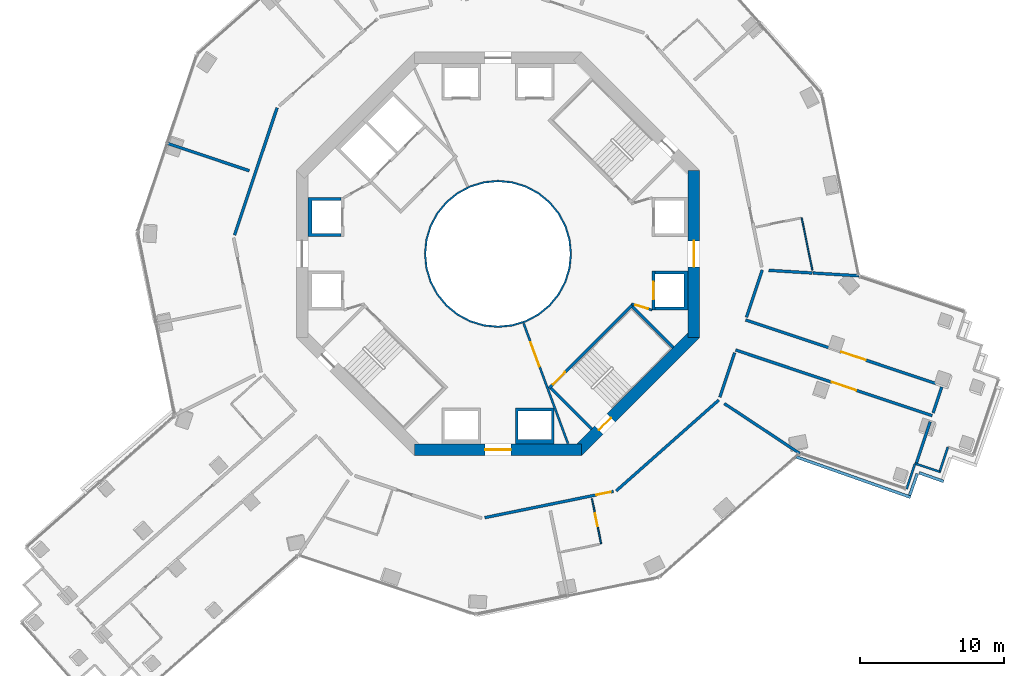
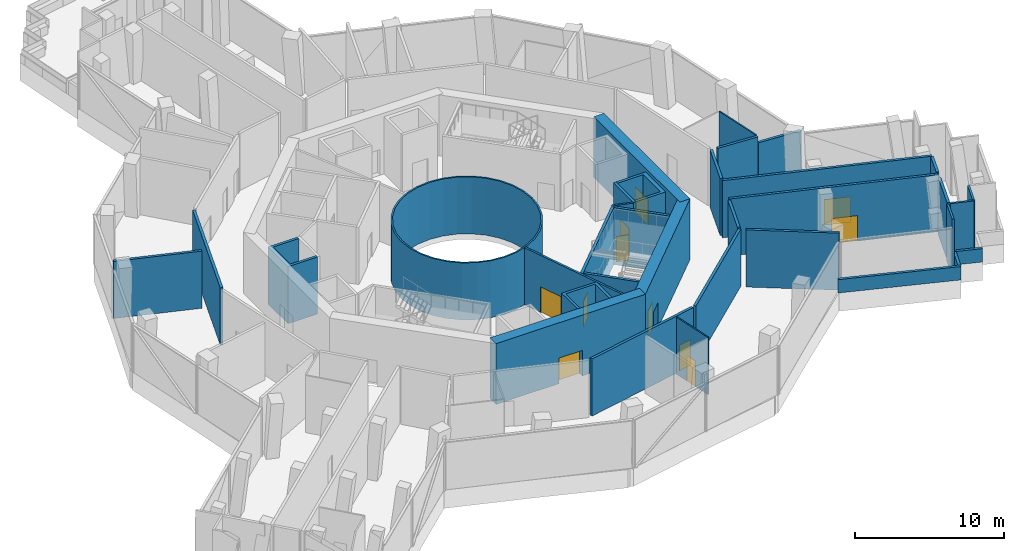
# One storey, part 11 of 20: 34 walls, 11 doors, 11 openings.
"""IFC4 building model written with IfcOpenShell, lengths in metres."""

from ifc_helpers import new_model, si_unit, direction, frame, frame_2d, origin, place, context, subcontext, project, spatial, polyline, rectangle, outline, extrude, material, layer, layer_set, type_object, element, fill, save


model = new_model("IFC4")

# Units and contexts
model_context = context("Model", 3, precision=1e-05, world=origin(), true_north=direction((0.0, 1.0)))
body_context = subcontext(model_context, "Body", "Model", "MODEL_VIEW")
ifc_project = project(units=[si_unit("LENGTHUNIT", "METRE"), si_unit("AREAUNIT", "SQUARE_METRE"), si_unit("VOLUMEUNIT", "CUBIC_METRE"), si_unit("PLANEANGLEUNIT", "RADIAN"), si_unit("MASSUNIT", "GRAM", prefix="KILO")], contexts=[model_context])

# Site, building, storey
site_placement = place(None, origin())
site = spatial("IfcSite", under=ifc_project, at=site_placement, CompositionType="ELEMENT")
building_placement = place(site_placement, origin())
building = spatial("IfcBuilding", under=site, at=building_placement, Name="Verdalira Terraces Hotel", CompositionType="ELEMENT")
storey_placement = place(building_placement, frame((0.0, 0.0, 81.0)))
storey = spatial("IfcBuildingStorey", under=building, at=storey_placement, Name="L18", CompositionType="ELEMENT", Elevation=81.0)

# Wall
ifc_material_1 = material(Name="Fire-resisting glass EI 180", Category="glass")
ifc_layer_1 = layer(ifc_material_1, 0.1201171875)
ifc_layer_set_1 = layer_set([ifc_layer_1], Name="Atrium fire screen 120 mm")
wall_type_1 = type_object("IfcWallType", Name="Atrium fire screen 120 mm", PredefinedType="SOLIDWALL", material=ifc_layer_set_1)
wall_1_placement = place(storey_placement, origin())
element("IfcWall", 1, at=wall_1_placement, inside=storey, type_object=wall_type_1, Name="Atrium fire screen", PredefinedType="SOLIDWALL", context=body_context, shape_type="SweptSolid", body=[
    extrude(outline(polyline([(5.021484, -0.998779), (4.730225, -1.959229), (4.25708, -2.844482), (3.620361, -3.620361), (2.844482, -4.25708), (1.959229, -4.730225), (0.998779, -5.021484), (0.0, -5.120117), (-0.998779, -5.021484), (-1.959229, -4.730225), (-2.844482, -4.25708), (-3.620361, -3.620361), (-4.25708, -2.844482), (-4.730225, -1.959229), (-5.021484, -0.998779), (-5.120117, 0.0), (-5.021484, 0.998779), (-4.730225, 1.959229), (-4.25708, 2.844482), (-3.620361, 3.620361), (-2.844482, 4.25708), (-1.959229, 4.730225), (-0.998779, 5.021484), (0.0, 5.120117), (0.998779, 5.021484), (1.959229, 4.730225), (2.844482, 4.25708), (3.620361, 3.620361), (4.25708, 2.844482), (4.730225, 1.959229), (5.021484, 0.998779), (5.120117, 0.0), (5.021484, -0.998779)]), holes=[polyline([(4.903809, 0.975586), (4.619385, 1.91333), (4.157227, 2.777832), (3.5354, 3.5354), (2.777832, 4.157227), (1.91333, 4.619385), (0.975586, 4.903809), (0.0, 5.0), (-0.975586, 4.903809), (-1.91333, 4.619385), (-2.777832, 4.157227), (-3.5354, 3.5354), (-4.157227, 2.777832), (-4.619385, 1.91333), (-4.903809, 0.975586), (-5.0, 0.0), (-4.903809, -0.975586), (-4.619385, -1.91333), (-4.157227, -2.777832), (-3.5354, -3.5354), (-2.777832, -4.157227), (-1.91333, -4.619385), (-0.975586, -4.903809), (0.0, -5.0), (0.975586, -4.903809), (1.91333, -4.619385), (2.777832, -4.157227), (3.5354, -3.5354), (4.157227, -2.777832), (4.619385, -1.91333), (4.903809, -0.975586), (5.0, 0.0), (4.903809, 0.975586)])]), origin(), (0.0, 0.0, 1.0), 4.689941),
])

# Wall, opening, door
ifc_material_2 = material(Name="Moisture-resistant gypsum board partition")
ifc_layer_2 = layer(ifc_material_2, 0.10009765625)
ifc_layer_set_2 = layer_set([ifc_layer_2], Name="Bathroom partition 100 mm")
wall_type_2 = type_object("IfcWallType", Name="Bathroom partition 100 mm", PredefinedType="PARTITIONING", material=ifc_layer_set_2)
wall_2_placement = place(storey_placement, frame((7.165039, -20.133057, 0.0), z_axis=(0.0, 0.0, 1.0), x_axis=(-0.19972385, 0.979852226, 0.0)))
wall_2 = element("IfcWall", 2, at=wall_2_placement, inside=storey, type_object=wall_type_2, Name="Bathroom partition", PredefinedType="PARTITIONING", context=body_context, shape_type="SweptSolid", body=[
    extrude(rectangle(XDim=3.200195, YDim=0.100098, at=frame_2d((1.600098, 0.0))), origin(), (0.0, 0.0, 1.0), 4.689941),
])
opening_1_placement = place(wall_2_placement, frame((1.25, 0.0, 0.0)))
opening_1 = element("IfcOpeningElement", 3, at=opening_1_placement, cuts=wall_2, Name="Opening L18-114", PredefinedType="OPENING", context=body_context, shape_type="SweptSolid", body=[
    extrude(rectangle(XDim=0.899902, YDim=2.100098, at=frame_2d((0.449951, 1.050049))), frame((0.0, 0.060059, 0.0), z_axis=(0.0, -1.0, 0.0), x_axis=(1.0, 0.0, 0.0)), (0.0, 0.0, 1.0), 0.120117),
])
ifc_material_3 = material(Name="Timber door", Category="wood")
door_type_1 = type_object("IfcDoorType", Name="Bathroom door 900 x 2100", OperationType="NOTDEFINED", PredefinedType="DOOR", material=ifc_material_3)
door_1_placement = place(opening_1_placement, origin())
door_1 = element("IfcDoor", 4, at=door_1_placement, inside=storey, type_object=door_type_1, Name="Bathroom door 1810", OperationType="SINGLE_SWING_LEFT", OverallHeight=2.10009765625, OverallWidth=0.89990234375, PredefinedType="DOOR", context=body_context, shape_type="SweptSolid", body=[
    extrude(rectangle(XDim=0.899902, YDim=2.100098, at=frame_2d((0.449951, 1.050049))), frame((0.0, 0.024902, 0.0), z_axis=(0.0, -1.0, 0.0), x_axis=(1.0, 0.0, 0.0)), (0.0, 0.0, 1.0), 0.050049),
])
fill(opening_1, door_1)

# Walls
wall_3_placement = place(storey_placement, frame((21.083252, 2.502686, 0.0), z_axis=(0.0, 0.0, 1.0), x_axis=(0.199714646, -0.979854101, 0.0)))
element("IfcWall", 5, at=wall_3_placement, inside=storey, type_object=wall_type_2, Name="Bathroom partition", PredefinedType="PARTITIONING", context=body_context, shape_type="SweptSolid", body=[
    extrude(rectangle(XDim=3.704102, YDim=0.100098, at=frame_2d((1.852051, 0.0))), origin(), (0.0, 0.0, 1.0), 4.689941),
])
ifc_material_4 = material(Name="Concrete C50", Category="concrete")
ifc_layer_3 = layer(ifc_material_4, 0.199951171875)
ifc_layer_set_3 = layer_set([ifc_layer_3], Name="Core RC wall 200 C50")
wall_type_3 = type_object("IfcWallType", Name="Core RC wall 200 C50", PredefinedType="SOLIDWALL", material=ifc_layer_set_3)
wall_4_placement = place(storey_placement, origin())
element("IfcWall", 6, at=wall_4_placement, inside=storey, type_object=wall_type_3, Name="L18 shaft wall E1", PredefinedType="SOLIDWALL", context=body_context, shape_type="SweptSolid", body=[
    extrude(outline(polyline([(13.199951, -3.899902), (10.899902, -3.899902), (10.899902, -3.699951), (12.899902, -3.699951), (12.899902, -1.399902), (10.899902, -1.399902), (10.899902, -1.199951), (13.199951, -1.199951), (13.199951, -3.899902)])), origin(), (0.0, 0.0, 1.0), 4.689941),
])

# Wall, opening, door
wall_5_placement = place(storey_placement, frame((10.800049, -1.199951, 0.0), z_axis=(0.0, 0.0, 1.0), x_axis=(0.0, -1.0, 0.0)))
wall_5 = element("IfcWall", 7, at=wall_5_placement, inside=storey, type_object=wall_type_3, Name="L18 shaft front wall E1", PredefinedType="SOLIDWALL", context=body_context, shape_type="SweptSolid", body=[
    extrude(rectangle(XDim=2.699951, YDim=0.199951, at=frame_2d((1.350098, 0.0))), origin(), (0.0, 0.0, 1.0), 4.689941),
])
opening_2_placement = place(wall_5_placement, frame((0.75, 0.0, 0.0)))
opening_2 = element("IfcOpeningElement", 8, at=opening_2_placement, cuts=wall_5, Name="Opening LD-L18-801", PredefinedType="OPENING", context=body_context, shape_type="SweptSolid", body=[
    extrude(rectangle(XDim=1.199951, YDim=2.100098, at=frame_2d((0.600098, 1.050049))), frame((0.0, 0.109863, 0.0), z_axis=(0.0, -1.0, 0.0), x_axis=(1.0, 0.0, 0.0)), (0.0, 0.0, 1.0), 0.219971),
])
ifc_material_5 = material(Name="Stainless steel", Category="steel")
door_type_2 = type_object("IfcDoorType", Name="Landing door 1200 x 2100", OperationType="NOTDEFINED", PredefinedType="DOOR", material=ifc_material_5)
door_2_placement = place(opening_2_placement, origin())
door_2 = element("IfcDoor", 9, at=door_2_placement, inside=storey, type_object=door_type_2, Name="Lift landing door LR1 L18", OperationType="DOUBLE_DOOR_SLIDING", OverallHeight=2.10009765625, OverallWidth=1.199951171875, PredefinedType="DOOR", context=body_context, shape_type="SweptSolid", body=[
    extrude(rectangle(XDim=1.199951, YDim=2.100098, at=frame_2d((0.600098, 1.050049))), frame((0.0, 0.024902, 0.0), z_axis=(0.0, -1.0, 0.0), x_axis=(1.0, 0.0, 0.0)), (0.0, 0.0, 1.0), 0.050049),
])
fill(opening_2, door_2)

# Walls
wall_6_placement = place(storey_placement, origin())
element("IfcWall", 10, at=wall_6_placement, inside=storey, type_object=wall_type_3, Name="L18 shaft wall W1", PredefinedType="SOLIDWALL", context=body_context, shape_type="SweptSolid", body=[
    extrude(outline(polyline([(-13.199951, 3.899902), (-10.899902, 3.899902), (-10.899902, 3.699951), (-12.899902, 3.699951), (-12.899902, 1.399902), (-10.899902, 1.399902), (-10.899902, 1.199951), (-13.199951, 1.199951), (-13.199951, 3.899902)])), origin(), (0.0, 0.0, 1.0), 4.689941),
])
wall_7_placement = place(storey_placement, origin())
element("IfcWall", 11, at=wall_7_placement, inside=storey, type_object=wall_type_3, Name="L18 shaft wall S2", PredefinedType="SOLIDWALL", context=body_context, shape_type="SweptSolid", body=[
    extrude(outline(polyline([(3.899902, -10.699951), (3.899902, -13.199951), (1.199951, -13.199951), (1.199951, -10.699951), (3.899902, -10.699951)]), holes=[polyline([(1.399902, -12.899902), (3.699951, -12.899902), (3.699951, -10.899902), (1.399902, -10.899902), (1.399902, -12.899902)])]), origin(), (0.0, 0.0, 1.0), 4.689941),
])

# Wall, opening, door
wall_8_placement = place(storey_placement, frame((9.33374, -3.5354, 0.0), z_axis=(0.0, 0.0, 1.0), x_axis=(-0.707106781, -0.707106781, 0.0)))
wall_8 = element("IfcWall", 12, at=wall_8_placement, inside=storey, type_object=wall_type_3, Name="L18 stair ST3 front wall", PredefinedType="SOLIDWALL", context=body_context, shape_type="SweptSolid", body=[
    extrude(rectangle(XDim=8.200195, YDim=0.199951, at=frame_2d((4.100098, 0.0))), origin(), (0.0, 0.0, 1.0), 4.689941),
])
opening_3_placement = place(wall_8_placement, frame((6.600098, 0.0, 0.0)))
opening_3 = element("IfcOpeningElement", 13, at=opening_3_placement, cuts=wall_8, Name="Opening L18-811", PredefinedType="OPENING", context=body_context, shape_type="SweptSolid", body=[
    extrude(rectangle(XDim=1.199951, YDim=2.100098, at=frame_2d((0.600098, 1.050049))), frame((0.0, 0.109863, 0.0), z_axis=(0.0, -1.0, 0.0), x_axis=(1.0, 0.0, 0.0)), (0.0, 0.0, 1.0), 0.219971),
])
ifc_material_6 = material(Name="Steel fire door", Category="steel")
door_type_3 = type_object("IfcDoorType", Name="Stair door 1200 x 2100", OperationType="NOTDEFINED", PredefinedType="DOOR", material=ifc_material_6)
door_3_placement = place(opening_3_placement, origin())
door_3 = element("IfcDoor", 14, at=door_3_placement, inside=storey, type_object=door_type_3, Name="Stair door ST3 L18", OperationType="SINGLE_SWING_RIGHT", OverallHeight=2.10009765625, OverallWidth=1.199951171875, PredefinedType="DOOR", context=body_context, shape_type="SweptSolid", body=[
    extrude(rectangle(XDim=1.199951, YDim=2.100098, at=frame_2d((0.600098, 1.050049))), frame((0.0, 0.024902, 0.0), z_axis=(0.0, -1.0, 0.0), x_axis=(1.0, 0.0, 0.0)), (0.0, 0.0, 1.0), 0.050049),
])
fill(opening_3, door_3)

# Walls
for number, where, z_axis, x_axis, name in (
    (15, (3.677002, -9.33374, 0.0), (0.0, 0.0, 1.0), (0.707106781, -0.707106781, 0.0), "L18 stair ST3 end wall 1"),
    (16, (9.33374, -3.677002, 0.0), (0.0, 0.0, 1.0), (0.707106781, -0.707106781, 0.0), "L18 stair ST3 end wall 2"),
):
    element("IfcWall", number, at=place(storey_placement, frame(where, z_axis=z_axis, x_axis=x_axis)), inside=storey, type_object=wall_type_3, Name=name, PredefinedType="SOLIDWALL", context=body_context, shape_type="SweptSolid", body=[
        extrude(rectangle(XDim=4.0, YDim=0.199951, at=frame_2d((2.0, 0.0))), origin(), (0.0, 0.0, 1.0), 4.689941),
    ])

# Wall, opening, door
ifc_material_7 = material(Name="Gypsum board partition")
ifc_layer_4 = layer(ifc_material_7, 0.14990234375)
ifc_layer_set_4 = layer_set([ifc_layer_4], Name="Core partition 150 mm")
wall_type_4 = type_object("IfcWallType", Name="Core partition 150 mm", PredefinedType="PARTITIONING", material=ifc_layer_set_4)
wall_9_placement = place(storey_placement, frame((9.263184, -3.464844, 0.0), z_axis=(0.0, 0.0, 1.0), x_axis=(0.957084567, -0.289808785, 0.0)))
wall_9 = element("IfcWall", 17, at=wall_9_placement, inside=storey, type_object=wall_type_4, Name="Room partition L18", PredefinedType="PARTITIONING", context=body_context, shape_type="SweptSolid", body=[
    extrude(rectangle(XDim=1.501221, YDim=0.149902, at=frame_2d((0.750488, 0.0))), origin(), (0.0, 0.0, 1.0), 4.689941),
])
opening_4_placement = place(wall_9_placement, frame((0.300781, 0.0, 0.0)))
opening_4 = element("IfcOpeningElement", 18, at=opening_4_placement, cuts=wall_9, Name="Opening L18-823", PredefinedType="OPENING", context=body_context, shape_type="SweptSolid", body=[
    extrude(rectangle(XDim=0.899902, YDim=2.100098, at=frame_2d((0.449951, 1.050049))), frame((0.0, 0.084961, 0.0), z_axis=(0.0, -1.0, 0.0), x_axis=(1.0, 0.0, 0.0)), (0.0, 0.0, 1.0), 0.169922),
])
ifc_material_8 = material(Name="Steel fire door", Category="steel")
door_type_4 = type_object("IfcDoorType", Name="Core room door 900 x 2100", OperationType="NOTDEFINED", PredefinedType="DOOR", material=ifc_material_8)
door_4_placement = place(opening_4_placement, origin())
door_4 = element("IfcDoor", 19, at=door_4_placement, inside=storey, type_object=door_type_4, Name="Door L18 room7", OperationType="SINGLE_SWING_LEFT", OverallHeight=2.10009765625, OverallWidth=0.89990234375, PredefinedType="DOOR", context=body_context, shape_type="SweptSolid", body=[
    extrude(rectangle(XDim=0.899902, YDim=2.100098, at=frame_2d((0.449951, 1.050049))), frame((0.0, 0.024902, 0.0), z_axis=(0.0, -1.0, 0.0), x_axis=(1.0, 0.0, 0.0)), (0.0, 0.0, 1.0), 0.050049),
])
fill(opening_4, door_4)

wall_10_placement = place(storey_placement, frame((1.775635, -4.812988, 0.0), z_axis=(0.0, 0.0, 1.0), x_axis=(0.346115488, -0.938191915, 0.0)))
wall_10 = element("IfcWall", 20, at=wall_10_placement, inside=storey, type_object=wall_type_4, Name="Gallery fire partition L18", PredefinedType="PARTITIONING", context=body_context, shape_type="SweptSolid", body=[
    extrude(rectangle(XDim=8.909668, YDim=0.149902, at=frame_2d((4.454834, 0.0))), origin(), (0.0, 0.0, 1.0), 4.689941),
])
opening_5_placement = place(wall_10_placement, frame((1.399902, 0.0, 0.0)))
opening_5 = element("IfcOpeningElement", 21, at=opening_5_placement, cuts=wall_10, Name="Opening L18-825", PredefinedType="OPENING", context=body_context, shape_type="SweptSolid", body=[
    extrude(rectangle(XDim=1.800049, YDim=2.100098, at=frame_2d((0.899902, 1.050049))), frame((0.0, 0.084961, 0.0), z_axis=(0.0, -1.0, 0.0), x_axis=(1.0, 0.0, 0.0)), (0.0, 0.0, 1.0), 0.169922),
])
ifc_material_9 = material(Name="Steel fire door", Category="steel")
door_type_5 = type_object("IfcDoorType", Name="Gallery fire door pair 1800 x 2100", OperationType="NOTDEFINED", PredefinedType="DOOR", material=ifc_material_9)
door_5_placement = place(opening_5_placement, origin())
door_5 = element("IfcDoor", 22, at=door_5_placement, inside=storey, type_object=door_type_5, Name="Door L18 split6", OperationType="DOUBLE_DOOR_SINGLE_SWING", OverallHeight=2.10009765625, OverallWidth=1.800048828125, PredefinedType="DOOR", context=body_context, shape_type="SweptSolid", body=[
    extrude(rectangle(XDim=1.800049, YDim=2.100098, at=frame_2d((0.899902, 1.050049))), frame((0.0, 0.024902, 0.0), z_axis=(0.0, -1.0, 0.0), x_axis=(1.0, 0.0, 0.0)), (0.0, 0.0, 1.0), 0.050049),
])
fill(opening_5, door_5)

ifc_material_10 = material(Name="Concrete C70", Category="concrete")
ifc_layer_5 = layer(ifc_material_10, 0.800048828125)
ifc_layer_set_5 = layer_set([ifc_layer_5], Name="Core wall 800 C70")
wall_type_5 = type_object("IfcWallType", Name="Core wall 800 C70", PredefinedType="SHEAR", material=ifc_layer_set_5)
wall_11_placement = place(storey_placement, frame((13.600098, -5.799072, 0.0), z_axis=(0.0, 0.0, 1.0), x_axis=(0.0, 1.0, 0.0)))
wall_11 = element("IfcWall", 23, at=wall_11_placement, inside=storey, type_object=wall_type_5, Name="Core wall CW-L18-1", PredefinedType="SHEAR", context=body_context, shape_type="SweptSolid", body=[
    extrude(rectangle(XDim=11.598145, YDim=0.800049, at=frame_2d((5.799072, 0.0))), origin(), (0.0, 0.0, 1.0), 5.0),
])
opening_6_placement = place(wall_11_placement, frame((4.898926, 0.0, 0.0)))
opening_6 = element("IfcOpeningElement", 24, at=opening_6_placement, cuts=wall_11, Name="Opening L18-812", PredefinedType="OPENING", context=body_context, shape_type="SweptSolid", body=[
    extrude(rectangle(XDim=1.800049, YDim=2.100098, at=frame_2d((0.899902, 1.050049))), frame((0.0, 0.409912, 0.0), z_axis=(0.0, -1.0, 0.0), x_axis=(1.0, 0.0, 0.0)), (0.0, 0.0, 1.0), 0.820068),
])
ifc_material_11 = material(Name="Steel fire door", Category="steel")
door_type_6 = type_object("IfcDoorType", Name="Core entry door pair 1800 x 2100", OperationType="NOTDEFINED", PredefinedType="DOOR", material=ifc_material_11)
door_6_placement = place(opening_6_placement, origin())
door_6 = element("IfcDoor", 25, at=door_6_placement, inside=storey, type_object=door_type_6, Name="Core entry door L18 0", OperationType="DOUBLE_DOOR_SINGLE_SWING", OverallHeight=2.10009765625, OverallWidth=1.800048828125, PredefinedType="DOOR", context=body_context, shape_type="SweptSolid", body=[
    extrude(rectangle(XDim=1.800049, YDim=2.100098, at=frame_2d((0.899902, 1.050049))), frame((0.0, 0.024902, 0.0), z_axis=(0.0, -1.0, 0.0), x_axis=(1.0, 0.0, 0.0)), (0.0, 0.0, 1.0), 0.050049),
])
fill(opening_6, door_6)

wall_12_placement = place(storey_placement, frame((-5.799072, -13.600098, 0.0), z_axis=(0.0, 0.0, 1.0), x_axis=(1.0, 0.0, 0.0)))
wall_12 = element("IfcWall", 26, at=wall_12_placement, inside=storey, type_object=wall_type_5, Name="Core wall CW-L18-7", PredefinedType="SHEAR", context=body_context, shape_type="SweptSolid", body=[
    extrude(rectangle(XDim=11.598145, YDim=0.800049, at=frame_2d((5.799072, 0.0))), origin(), (0.0, 0.0, 1.0), 5.0),
])
opening_7_placement = place(wall_12_placement, frame((4.898926, 0.0, 0.0)))
opening_7 = element("IfcOpeningElement", 27, at=opening_7_placement, cuts=wall_12, Name="Opening L18-815", PredefinedType="OPENING", context=body_context, shape_type="SweptSolid", body=[
    extrude(rectangle(XDim=1.800049, YDim=2.100098, at=frame_2d((0.899902, 1.050049))), frame((0.0, 0.409912, 0.0), z_axis=(0.0, -1.0, 0.0), x_axis=(1.0, 0.0, 0.0)), (0.0, 0.0, 1.0), 0.820068),
])
door_7_placement = place(opening_7_placement, origin())
door_7 = element("IfcDoor", 28, at=door_7_placement, inside=storey, type_object=door_type_6, Name="Core entry door L18 6", OperationType="DOUBLE_DOOR_SINGLE_SWING", OverallHeight=2.10009765625, OverallWidth=1.800048828125, PredefinedType="DOOR", context=body_context, shape_type="SweptSolid", body=[
    extrude(rectangle(XDim=1.800049, YDim=2.100098, at=frame_2d((0.899902, 1.050049))), frame((0.0, 0.024902, 0.0), z_axis=(0.0, -1.0, 0.0), x_axis=(1.0, 0.0, 0.0)), (0.0, 0.0, 1.0), 0.050049),
])
fill(opening_7, door_7)

wall_13_placement = place(storey_placement, frame((5.516113, -13.717285, 0.0), z_axis=(0.0, 0.0, 1.0), x_axis=(0.707106781, 0.707106781, 0.0)))
wall_13 = element("IfcWall", 29, at=wall_13_placement, inside=storey, type_object=wall_type_5, Name="Core wall CW-L18-8", PredefinedType="SHEAR", context=body_context, shape_type="SweptSolid", body=[
    extrude(rectangle(XDim=11.598145, YDim=0.800049, at=frame_2d((5.799072, 0.0))), origin(), (0.0, 0.0, 1.0), 5.0),
])
opening_8_placement = place(wall_13_placement, frame((2.099121, 0.0, 0.0)))
opening_8 = element("IfcOpeningElement", 30, at=opening_8_placement, cuts=wall_13, Name="Opening L18-818", PredefinedType="OPENING", context=body_context, shape_type="SweptSolid", body=[
    extrude(rectangle(XDim=1.199951, YDim=2.100098, at=frame_2d((0.600098, 1.050049))), frame((0.0, 0.409912, 0.0), z_axis=(0.0, -1.0, 0.0), x_axis=(1.0, 0.0, 0.0)), (0.0, 0.0, 1.0), 0.820068),
])
door_8_placement = place(opening_8_placement, origin())
door_8 = element("IfcDoor", 31, at=door_8_placement, inside=storey, type_object=door_type_3, Name="Stair exit door ST3 L18", OperationType="SINGLE_SWING_LEFT", OverallHeight=2.10009765625, OverallWidth=1.199951171875, PredefinedType="DOOR", context=body_context, shape_type="SweptSolid", body=[
    extrude(rectangle(XDim=1.199951, YDim=2.100098, at=frame_2d((0.600098, 1.050049))), frame((0.0, 0.024902, 0.0), z_axis=(0.0, -1.0, 0.0), x_axis=(1.0, 0.0, 0.0)), (0.0, 0.0, 1.0), 0.050049),
])
fill(opening_8, door_8)

# Walls
ifc_material_12 = material(Name="Fire-rated gypsum board wall")
ifc_layer_6 = layer(ifc_material_12, 0.199951171875)
ifc_layer_set_6 = layer_set([ifc_layer_6], Name="Demising wall 200 mm")
wall_type_6 = type_object("IfcWallType", Name="Demising wall 200 mm", PredefinedType="SOLIDWALL", material=ifc_layer_set_6)
wall_14_placement = place(storey_placement, frame((-17.266846, 5.770752, 0.0), z_axis=(0.0, 0.0, 1.0), x_axis=(-0.948436957, 0.316965832, 0.0)))
element("IfcWall", 32, at=wall_14_placement, inside=storey, type_object=wall_type_6, Name="Demising wall", PredefinedType="SOLIDWALL", context=body_context, shape_type="SweptSolid", body=[
    extrude(rectangle(XDim=6.05249, YDim=0.199951, at=frame_2d((3.026367, 0.0))), origin(), (0.0, 0.0, 1.0), 4.689941),
])
wall_15_placement = place(storey_placement, frame((20.947021, -13.854004, 0.0), z_axis=(0.0, 0.0, 1.0), x_axis=(-0.834077635, 0.551647078, 0.0)))
element("IfcWall", 33, at=wall_15_placement, inside=storey, type_object=wall_type_6, Name="Demising wall", PredefinedType="SOLIDWALL", context=body_context, shape_type="SweptSolid", body=[
    extrude(rectangle(XDim=6.281738, YDim=0.199951, at=frame_2d((3.140869, 0.0))), origin(), (0.0, 0.0, 1.0), 4.689941),
])
wall_16_placement = place(storey_placement, frame((18.797363, -1.143066, 0.0), z_axis=(0.0, 0.0, 1.0), x_axis=(0.998156069, -0.060699771, 0.0)))
element("IfcWall", 34, at=wall_16_placement, inside=storey, type_object=wall_type_6, Name="Demising wall", PredefinedType="SOLIDWALL", context=body_context, shape_type="SweptSolid", body=[
    extrude(rectangle(XDim=3.024658, YDim=0.199951, at=frame_2d((1.512207, 0.0))), origin(), (0.0, 0.0, 1.0), 4.689941),
])
wall_17_placement = place(storey_placement, frame((30.001709, -11.658203, 0.0), z_axis=(0.0, 0.0, 1.0), x_axis=(-0.316993835, -0.948427598, 0.0)))
element("IfcWall", 35, at=wall_17_placement, inside=storey, type_object=wall_type_6, Name="Demising wall", PredefinedType="SOLIDWALL", context=body_context, shape_type="SweptSolid", body=[
    extrude(rectangle(XDim=3.154541, YDim=0.199951, at=frame_2d((1.577148, 0.0))), origin(), (0.0, 0.0, 1.0), 4.689941),
])
ifc_material_13 = material(Name="Fire-rated gypsum board wall")
ifc_layer_7 = layer(ifc_material_13, 0.199951171875)
ifc_layer_set_7 = layer_set([ifc_layer_7], Name="Demising wall 200 mm to beam soffit")
wall_type_7 = type_object("IfcWallType", Name="Demising wall 200 mm to beam soffit", PredefinedType="SOLIDWALL", material=ifc_layer_set_7)
wall_18_placement = place(storey_placement, frame((21.862305, -1.32959, 0.0), z_axis=(0.0, 0.0, 1.0), x_axis=(0.998157909, -0.060669511, 0.0)))
element("IfcWall", 36, at=wall_18_placement, inside=storey, type_object=wall_type_7, Name="Demising wall", PredefinedType="SOLIDWALL", context=body_context, shape_type="SweptSolid", body=[
    extrude(rectangle(XDim=3.211182, YDim=0.199951, at=frame_2d((1.605469, 0.0))), origin(), (0.0, 0.0, 1.0), 4.189941),
])
ifc_material_14 = material(Name="Fire-rated gypsum board wall")
ifc_layer_8 = layer(ifc_material_14, 0.199951171875)
ifc_layer_set_8 = layer_set([ifc_layer_8], Name="Guest corridor wall 200 mm")
wall_type_8 = type_object("IfcWallType", Name="Guest corridor wall 200 mm", PredefinedType="SOLIDWALL", material=ifc_layer_set_8)
wall_19_placement = place(storey_placement, frame((-15.334473, 10.141357, 0.0), z_axis=(0.0, 0.0, 1.0), x_axis=(-0.316982448, -0.948431404, 0.0)))
element("IfcWall", 37, at=wall_19_placement, inside=storey, type_object=wall_type_8, Name="Guest corridor wall", PredefinedType="SOLIDWALL", context=body_context, shape_type="SweptSolid", body=[
    extrude(rectangle(XDim=9.315674, YDim=0.199951, at=frame_2d((4.657715, 0.0))), origin(), (0.0, 0.0, 1.0), 4.689941),
])

# Wall, opening, door
wall_20_placement = place(storey_placement, frame((8.012451, -16.490479, 0.0), z_axis=(0.0, 0.0, 1.0), x_axis=(-0.97985821, -0.199694487, 0.0)))
wall_20 = element("IfcWall", 38, at=wall_20_placement, inside=storey, type_object=wall_type_8, Name="Guest corridor wall", PredefinedType="SOLIDWALL", context=body_context, shape_type="SweptSolid", body=[
    extrude(rectangle(XDim=9.115479, YDim=0.199951, at=frame_2d((4.557617, 0.0))), origin(), (0.0, 0.0, 1.0), 4.689941),
])
opening_9_placement = place(wall_20_placement, frame((0.199951, 0.0, 0.0)))
opening_9 = element("IfcOpeningElement", 39, at=opening_9_placement, cuts=wall_20, Name="Opening L18-113", PredefinedType="OPENING", context=body_context, shape_type="SweptSolid", body=[
    extrude(rectangle(XDim=1.0, YDim=2.100098, at=frame_2d((0.5, 1.050049))), frame((0.0, 0.109863, 0.0), z_axis=(0.0, -1.0, 0.0), x_axis=(1.0, 0.0, 0.0)), (0.0, 0.0, 1.0), 0.219971),
])
ifc_material_15 = material(Name="Timber fire door", Category="wood")
door_type_7 = type_object("IfcDoorType", Name="Guest entry door 1000 x 2100", OperationType="NOTDEFINED", PredefinedType="DOOR", material=ifc_material_15)
door_9_placement = place(opening_9_placement, origin())
door_9 = element("IfcDoor", 40, at=door_9_placement, inside=storey, type_object=door_type_7, Name="Guest entry door 1810", OperationType="SINGLE_SWING_LEFT", OverallHeight=2.10009765625, OverallWidth=1.0, PredefinedType="DOOR", context=body_context, shape_type="SweptSolid", body=[
    extrude(rectangle(XDim=1.0, YDim=2.100098, at=frame_2d((0.5, 1.050049))), frame((0.0, 0.024902, 0.0), z_axis=(0.0, -1.0, 0.0), x_axis=(1.0, 0.0, 0.0)), (0.0, 0.0, 1.0), 0.050049),
])
fill(opening_9, door_9)

# Walls
wall_21_placement = place(storey_placement, frame((8.209473, -16.449951, 0.0), z_axis=(0.0, 0.0, 1.0), x_axis=(0.74871296, 0.662894338, 0.0)))
element("IfcWall", 41, at=wall_21_placement, inside=storey, type_object=wall_type_8, Name="Guest corridor wall", PredefinedType="SOLIDWALL", context=body_context, shape_type="SweptSolid", body=[
    extrude(rectangle(XDim=9.516113, YDim=0.199951, at=frame_2d((4.758057, 0.0))), origin(), (0.0, 0.0, 1.0), 4.689941),
])
wall_22_placement = place(storey_placement, frame((15.397705, -9.952148, 0.0), z_axis=(0.0, 0.0, 1.0), x_axis=(0.316946987, 0.948443255, 0.0)))
element("IfcWall", 42, at=wall_22_placement, inside=storey, type_object=wall_type_8, Name="Guest corridor wall", PredefinedType="SOLIDWALL", context=body_context, shape_type="SweptSolid", body=[
    extrude(rectangle(XDim=3.258301, YDim=0.199951, at=frame_2d((1.62915, 0.0))), origin(), (0.0, 0.0, 1.0), 4.689941),
])
wall_23_placement = place(storey_placement, frame((17.254639, -4.395996, 0.0), z_axis=(0.0, 0.0, 1.0), x_axis=(0.316968911, 0.948435928, 0.0)))
element("IfcWall", 43, at=wall_23_placement, inside=storey, type_object=wall_type_8, Name="Guest corridor wall", PredefinedType="SOLIDWALL", context=body_context, shape_type="SweptSolid", body=[
    extrude(rectangle(XDim=3.458252, YDim=0.199951, at=frame_2d((1.729004, 0.0))), origin(), (0.0, 0.0, 1.0), 4.689941),
])

# Wall, opening, door
wall_24_placement = place(storey_placement, frame((30.143311, -11.233887, 0.0), z_axis=(0.0, 0.0, 1.0), x_axis=(-0.94843363, 0.316975788, 0.0)))
wall_24 = element("IfcWall", 44, at=wall_24_placement, inside=storey, type_object=wall_type_8, Name="Guest corridor wall", PredefinedType="SOLIDWALL", context=body_context, shape_type="SweptSolid", body=[
    extrude(rectangle(XDim=14.391602, YDim=0.199951, at=frame_2d((7.195801, 0.0))), origin(), (0.0, 0.0, 1.0), 4.689941),
])
opening_10_placement = place(wall_24_placement, frame((5.550049, 0.0, 0.0)))
opening_10 = element("IfcOpeningElement", 45, at=opening_10_placement, cuts=wall_24, Name="Opening L18-115", PredefinedType="OPENING", context=body_context, shape_type="SweptSolid", body=[
    extrude(rectangle(XDim=1.800049, YDim=2.100098, at=frame_2d((0.899902, 1.050049))), frame((0.0, 0.109863, 0.0), z_axis=(0.0, -1.0, 0.0), x_axis=(1.0, 0.0, 0.0)), (0.0, 0.0, 1.0), 0.219971),
])
ifc_material_16 = material(Name="Timber fire door", Category="wood")
door_type_8 = type_object("IfcDoorType", Name="Public room double door 1800 x 2100", OperationType="NOTDEFINED", PredefinedType="DOOR", material=ifc_material_16)
door_10_placement = place(opening_10_placement, origin())
door_10 = element("IfcDoor", 46, at=door_10_placement, inside=storey, type_object=door_type_8, Name="Public room double door 1811", OperationType="DOUBLE_DOOR_SINGLE_SWING", OverallHeight=2.10009765625, OverallWidth=1.800048828125, PredefinedType="DOOR", context=body_context, shape_type="SweptSolid", body=[
    extrude(rectangle(XDim=1.800049, YDim=2.100098, at=frame_2d((0.899902, 1.050049))), frame((0.0, 0.024902, 0.0), z_axis=(0.0, -1.0, 0.0), x_axis=(1.0, 0.0, 0.0)), (0.0, 0.0, 1.0), 0.050049),
])
fill(opening_10, door_10)

wall_25_placement = place(storey_placement, frame((17.191406, -4.585693, 0.0), z_axis=(0.0, 0.0, 1.0), x_axis=(0.948435294, -0.316970808, 0.0)))
wall_25 = element("IfcWall", 47, at=wall_25_placement, inside=storey, type_object=wall_type_8, Name="Guest corridor wall", PredefinedType="SOLIDWALL", context=body_context, shape_type="SweptSolid", body=[
    extrude(rectangle(XDim=14.389404, YDim=0.199951, at=frame_2d((7.194824, 0.0))), origin(), (0.0, 0.0, 1.0), 4.689941),
])
opening_11_placement = place(wall_25_placement, frame((7.0, 0.0, 0.0)))
opening_11 = element("IfcOpeningElement", 48, at=opening_11_placement, cuts=wall_25, Name="Opening L18-116", PredefinedType="OPENING", context=body_context, shape_type="SweptSolid", body=[
    extrude(rectangle(XDim=1.800049, YDim=2.100098, at=frame_2d((0.899902, 1.050049))), frame((0.0, 0.109863, 0.0), z_axis=(0.0, -1.0, 0.0), x_axis=(1.0, 0.0, 0.0)), (0.0, 0.0, 1.0), 0.219971),
])
door_11_placement = place(opening_11_placement, origin())
door_11 = element("IfcDoor", 49, at=door_11_placement, inside=storey, type_object=door_type_8, Name="Public room double door 1812", OperationType="DOUBLE_DOOR_SINGLE_SWING", OverallHeight=2.10009765625, OverallWidth=1.800048828125, PredefinedType="DOOR", context=body_context, shape_type="SweptSolid", body=[
    extrude(rectangle(XDim=1.800049, YDim=2.100098, at=frame_2d((0.899902, 1.050049))), frame((0.0, 0.024902, 0.0), z_axis=(0.0, -1.0, 0.0), x_axis=(1.0, 0.0, 0.0)), (0.0, 0.0, 1.0), 0.050049),
])
fill(opening_11, door_11)

# Walls
wall_26_placement = place(storey_placement, frame((30.206299, -11.046143, 0.0), z_axis=(0.0, 0.0, 1.0), x_axis=(0.316998635, 0.948425994, 0.0)))
element("IfcWall", 50, at=wall_26_placement, inside=storey, type_object=wall_type_8, Name="Guest corridor wall", PredefinedType="SOLIDWALL", context=body_context, shape_type="SweptSolid", body=[
    extrude(rectangle(XDim=1.899902, YDim=0.199951, at=frame_2d((0.949951, 0.0))), origin(), (0.0, 0.0, 1.0), 4.689941),
])
ifc_material_17 = material(Name="Terracotta cladding", Category="masonry")
ifc_layer_9 = layer(ifc_material_17, 0.199951171875)
ifc_layer_set_9 = layer_set([ifc_layer_9], Name="Terracotta clad parapet 200")
wall_type_9 = type_object("IfcWallType", Name="Terracotta clad parapet 200", PredefinedType="PARAPET", material=ifc_layer_set_9)
wall_27_placement = place(storey_placement, frame((20.698486, -14.092285, 0.0), z_axis=(0.0, 0.0, 1.0), x_axis=(0.942990334, -0.332820118, 0.0)))
element("IfcWall", 51, at=wall_27_placement, inside=storey, type_object=wall_type_9, Name="Terracotta clad parapet", PredefinedType="PARAPET", context=body_context, shape_type="SweptSolid", body=[
    extrude(rectangle(XDim=8.419678, YDim=0.199951, at=frame_2d((4.209961, 0.0))), origin(), (0.0, 0.0, 1.0), 1.100098),
])
wall_28_placement = place(storey_placement, frame((28.577148, -16.766846, 0.0), z_axis=(0.0, 0.0, 1.0), x_axis=(0.332796173, 0.942998784, 0.0)))
element("IfcWall", 52, at=wall_28_placement, inside=storey, type_object=wall_type_9, Name="Terracotta clad parapet", PredefinedType="PARAPET", context=body_context, shape_type="SweptSolid", body=[
    extrude(rectangle(XDim=1.600098, YDim=0.199951, at=frame_2d((0.800049, 0.0))), origin(), (0.0, 0.0, 1.0), 1.100098),
])
wall_29_placement = place(storey_placement, frame((29.237061, -15.197021, 0.0), z_axis=(0.0, 0.0, 1.0), x_axis=(0.942990334, -0.332820118, 0.0)))
element("IfcWall", 53, at=wall_29_placement, inside=storey, type_object=wall_type_9, Name="Terracotta clad parapet", PredefinedType="PARAPET", context=body_context, shape_type="SweptSolid", body=[
    extrude(rectangle(XDim=1.800049, YDim=0.199951, at=frame_2d((0.899902, 0.0))), origin(), (0.0, 0.0, 1.0), 1.100098),
])
ifc_material_18 = material(Name="Terracotta cladding", Category="masonry")
ifc_layer_10 = layer(ifc_material_18, 0.14990234375)
ifc_layer_set_10 = layer_set([ifc_layer_10], Name="Terracotta clad wall 150")
wall_type_10 = type_object("IfcWallType", Name="Terracotta clad wall 150", PredefinedType="SOLIDWALL", material=ifc_layer_set_10)
wall_30_placement = place(storey_placement, frame((28.360596, -16.331787, 0.0), z_axis=(0.0, 0.0, 1.0), x_axis=(0.317047936, 0.948409514, 0.0)))
element("IfcWall", 54, at=wall_30_placement, inside=storey, type_object=wall_type_10, Name="Terracotta cladding wall", PredefinedType="SOLIDWALL", context=body_context, shape_type="SweptSolid", body=[
    extrude(rectangle(XDim=1.875, YDim=0.149902, at=frame_2d((0.9375, 0.0))), origin(), (0.0, 0.0, 1.0), 4.689941),
])
wall_31_placement = place(storey_placement, frame((28.955078, -14.553467, 0.0), z_axis=(0.0, 0.0, 1.0), x_axis=(0.948425259, -0.317000834, 0.0)))
element("IfcWall", 55, at=wall_31_placement, inside=storey, type_object=wall_type_10, Name="Terracotta cladding wall", PredefinedType="SOLIDWALL", context=body_context, shape_type="SweptSolid", body=[
    extrude(rectangle(XDim=1.799805, YDim=0.149902, at=frame_2d((0.899902, 0.0))), origin(), (0.0, 0.0, 1.0), 4.689941),
])
wall_32_placement = place(storey_placement, frame((30.638428, -15.195068, 0.0), z_axis=(0.0, 0.0, 1.0), x_axis=(0.316930812, 0.94844866, 0.0)))
element("IfcWall", 56, at=wall_32_placement, inside=storey, type_object=wall_type_10, Name="Terracotta cladding wall", PredefinedType="SOLIDWALL", context=body_context, shape_type="SweptSolid", body=[
    extrude(rectangle(XDim=1.875, YDim=0.149902, at=frame_2d((0.9375, 0.0))), origin(), (0.0, 0.0, 1.0), 4.689941),
])

save(model, "model.ifc")
